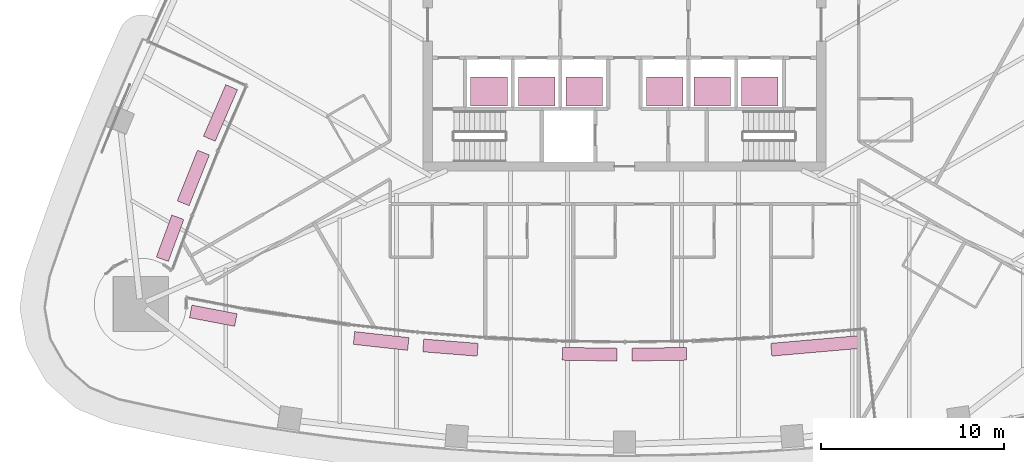
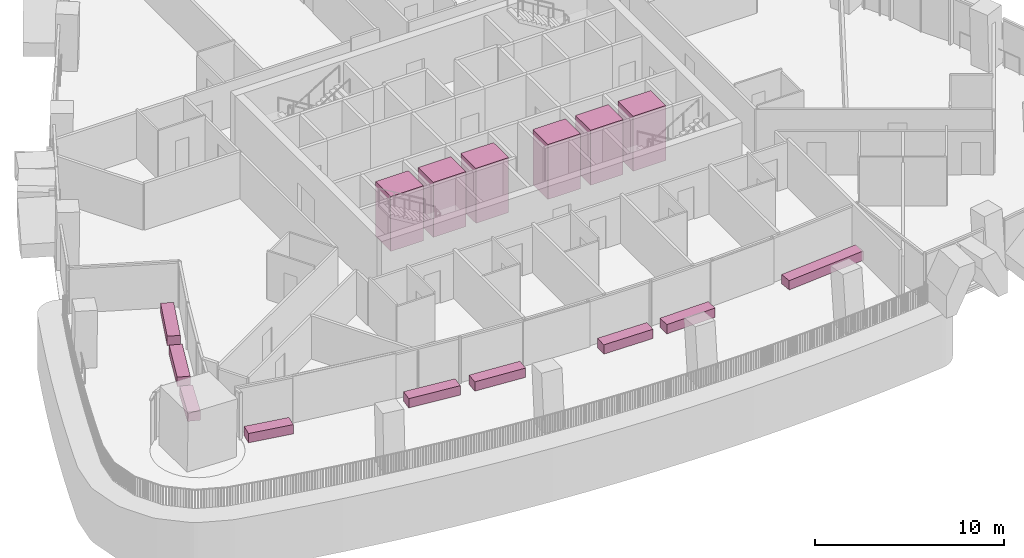
# One storey, part 22 of 22: 9 furniture elements, 6 transport elements.
"""IFC4 building model written with IfcOpenShell, lengths in metres."""

import ifcopenshell
import ifcopenshell.guid

model = None  # the IFC model being written
_history = None  # IfcOwnerHistory: only IFC2X3 demands one
_inside = {}  # id of a spatial element -> (the spatial element, [elements in it])
_under = {}  # id of a project, library or spatial element -> (it, [spatial elements below it])
_declared = {}  # id of a project -> (the project, [libraries it declares])
_typed = {}  # id of a type object -> (the type object, [elements of that type])
_made_of = {}  # id of a material, layer set ... -> (it, [elements and type objects made of it])


def new_model(schema):
    """Start an empty IFC model of exactly this schema.

    Asked for "IFC4X3", IfcOpenShell would pick the latest addendum, in which some entities
    have other attributes; the version numbers below select the first issue.
    IFC2X3 requires an IfcOwnerHistory on every rooted entity: one is made here for all.
    """
    global model, _history
    if schema == "IFC4X3":
        model = ifcopenshell.file(schema_version=(4, 3, 0, 0))
    else:
        model = ifcopenshell.file(schema=schema)
    _inside.clear()
    _under.clear()
    _declared.clear()
    _typed.clear()
    _made_of.clear()
    _history = None
    if model.schema == "IFC2X3":
        org = make("IfcOrganization", Name="unknown")
        user = make(
            "IfcPersonAndOrganization",
            ThePerson=make("IfcPerson", FamilyName="unknown"),
            TheOrganization=org,
        )
        app = make(
            "IfcApplication",
            ApplicationDeveloper=org,
            Version="unknown",
            ApplicationFullName="unknown",
            ApplicationIdentifier="unknown",
        )
        _history = make(
            "IfcOwnerHistory",
            OwningUser=user,
            OwningApplication=app,
            ChangeAction="ADDED",
            CreationDate=0,
        )
    return model


def make(cls, **values):
    """One entity of the class cls with the attributes given. An attribute that is None is left unset."""
    return model.create_entity(
        cls, **{name: value for name, value in values.items() if value is not None}
    )


def rooted(cls, **values):
    """An entity with a GlobalId (a new one), such as an element, a storey or a relation."""
    return make(cls, GlobalId=ifcopenshell.guid.new(), OwnerHistory=_history, **values)


def si_unit(unit_type, name, prefix=None):
    """IfcSIUnit, for example si_unit("LENGTHUNIT", "METRE", prefix="MILLI")."""
    return make("IfcSIUnit", UnitType=unit_type, Prefix=prefix, Name=name)


def assignment(units):
    """IfcUnitAssignment: the units of a project."""
    return None if units is None else make("IfcUnitAssignment", Units=units)


def point(xyz):
    """IfcCartesianPoint."""
    return None if xyz is None else make("IfcCartesianPoint", Coordinates=xyz)


def direction(xyz):
    """IfcDirection."""
    return None if xyz is None else make("IfcDirection", DirectionRatios=xyz)


def frame(location, z_axis=None, x_axis=None):
    """IfcAxis2Placement3D, a coordinate frame: its origin and axes. An axis left out is left unset."""
    return make(
        "IfcAxis2Placement3D",
        Location=point(location),
        Axis=direction(z_axis),
        RefDirection=direction(x_axis),
    )


def frame_2d(location, x_axis=None):
    """IfcAxis2Placement2D, a coordinate frame in the plane: its origin and x axis."""
    return make(
        "IfcAxis2Placement2D", Location=point(location), RefDirection=direction(x_axis)
    )


def origin():
    """The frame at (0, 0, 0) with its axes left unset."""
    return frame((0.0, 0.0, 0.0))


def origin_2d():
    """The frame at (0, 0) in the plane with its x axis left unset."""
    return frame_2d((0.0, 0.0))


def place(relative_to, where):
    """IfcLocalPlacement: puts the frame where relative to a parent placement (None: the world)."""
    return make(
        "IfcLocalPlacement", PlacementRelTo=relative_to, RelativePlacement=where
    )


def context(
    kind, dimensions, precision=None, world=None, true_north=None, identifier=None
):
    """IfcGeometricRepresentationContext, for example the 3D "Model" context."""
    return make(
        "IfcGeometricRepresentationContext",
        ContextIdentifier=identifier,
        ContextType=kind,
        CoordinateSpaceDimension=dimensions,
        Precision=precision,
        WorldCoordinateSystem=world,
        TrueNorth=true_north,
    )


def subcontext(parent, identifier, kind, view, scale=None):
    """IfcGeometricRepresentationSubContext, for example "Body" below "Model"."""
    return make(
        "IfcGeometricRepresentationSubContext",
        ContextIdentifier=identifier,
        ContextType=kind,
        ParentContext=parent,
        TargetScale=scale,
        TargetView=view,
    )


def project(units=None, contexts=None):
    """IfcProject with its units and contexts."""
    return rooted(
        "IfcProject",
        Name="project",
        RepresentationContexts=contexts,
        UnitsInContext=assignment(units),
    )


def spatial(cls, under=None, at=None, **own):
    """A site, building, storey or space (cls), placed at a placement, below another one or the project."""
    s = rooted(cls, ObjectPlacement=at, **own)
    if under is not None:
        _under.setdefault(under.id(), (under, []))[1].append(s)
    return s


def profile(cls, at=None, kind="AREA", **sizes):
    """A parametric profile (cls). Its sizes go by their IFC names, for example OverallWidth=200.0."""
    return make(cls, ProfileType=kind, Position=at, **sizes)


def rectangle(**sizes):
    """IfcRectangleProfileDef."""
    return profile("IfcRectangleProfileDef", **sizes)


def extrude(swept, where, along, depth):
    """IfcExtrudedAreaSolid: the profile swept, set in the frame where, extruded along a direction by depth."""
    return make(
        "IfcExtrudedAreaSolid",
        SweptArea=swept,
        Position=where,
        ExtrudedDirection=direction(along),
        Depth=depth,
    )


def shape(context_of_items, identifier, shape_type, items):
    """IfcShapeRepresentation: the items that make up one representation, for example the "Body"."""
    return make(
        "IfcShapeRepresentation",
        ContextOfItems=context_of_items,
        RepresentationIdentifier=identifier,
        RepresentationType=shape_type,
        Items=items,
    )


def material(Name=None, Category=None):
    """IfcMaterial."""
    return make("IfcMaterial", Name=Name, Category=Category)


def made_of(thing, what):
    """Note that an element or type object is made of a material, layer set ...; save() writes the relation."""
    if what is not None:
        _made_of.setdefault(what.id(), (what, []))[1].append(thing)
    return thing


def type_object(cls, material=None, **own):
    """A type object (cls), such as IfcWallType, which elements share."""
    return made_of(rooted(cls, **own), material)


def element(
    cls,
    number,
    at=None,
    inside=None,
    cuts=None,
    type_object=None,
    material=None,
    context=None,
    identifier="Body",
    shape_type=None,
    held_by="IfcProductDefinitionShape",
    body=None,
    shapes=None,
    **own,
):
    """One element of the class cls, such as IfcWall. Its Tag is "e" and its number.

    at: its placement. inside: the storey or other place that contains it. cuts: it is an
    opening in that element (IfcRelVoidsElement). A single representation is given by context,
    identifier, shape_type and body (its items); several are given by shapes. held_by: the class
    of the entity that holds the representations. save() writes the other relations.
    """
    e = rooted(cls, Tag="e%d" % number, ObjectPlacement=at, **own)
    if body is not None:
        shapes = [shape(context, identifier, shape_type, body)]
    if shapes is not None:
        e.Representation = make(held_by, Representations=shapes)
    if inside is not None:
        _inside.setdefault(inside.id(), (inside, []))[1].append(e)
    if cuts is not None:
        rooted(
            "IfcRelVoidsElement", RelatingBuildingElement=cuts, RelatedOpeningElement=e
        )
    if type_object is not None:
        _typed.setdefault(type_object.id(), (type_object, []))[1].append(e)
    return made_of(e, material)


def aggregate(whole, parts):
    """IfcRelAggregates: a whole, such as a stair, and the parts it consists of."""
    return rooted("IfcRelAggregates", RelatingObject=whole, RelatedObjects=parts)


def save(model, path):
    """Write the relations noted so far, then the file.

    IfcRelAggregates (storeys below a building ...), IfcRelContainedInSpatialStructure (elements
    in a storey), IfcRelDefinesByType, IfcRelAssociatesMaterial and IfcRelDeclares: one each for
    every whole, place, type object, material and project.
    """
    for whole, parts in _under.values():
        aggregate(whole, parts)
    for where, things in _inside.values():
        rooted(
            "IfcRelContainedInSpatialStructure",
            RelatedElements=things,
            RelatingStructure=where,
        )
    for kind, things in _typed.values():
        rooted("IfcRelDefinesByType", RelatedObjects=things, RelatingType=kind)
    for what, things in _made_of.values():
        rooted("IfcRelAssociatesMaterial", RelatedObjects=things, RelatingMaterial=what)
    for by, libraries in _declared.values():
        rooted("IfcRelDeclares", RelatingContext=by, RelatedDefinitions=libraries)
    model.write(path)


model = new_model("IFC4")

# Units and contexts
model_context = context("Model", 3, precision=1e-05, world=origin(), true_north=direction((0.0, 1.0)))
body_context = subcontext(model_context, "Body", "Model", "MODEL_VIEW")
ifc_project = project(units=[si_unit("LENGTHUNIT", "METRE"), si_unit("AREAUNIT", "SQUARE_METRE"), si_unit("VOLUMEUNIT", "CUBIC_METRE"), si_unit("PLANEANGLEUNIT", "RADIAN"), si_unit("MASSUNIT", "GRAM", prefix="KILO")], contexts=[model_context])

# Site, building, storey
site_placement = place(None, origin())
site = spatial("IfcSite", under=ifc_project, at=site_placement, CompositionType="ELEMENT")
building_placement = place(site_placement, origin())
building = spatial("IfcBuilding", under=site, at=building_placement, Name="Sierra Prisma Convention Tower", CompositionType="ELEMENT")
storey_placement = place(building_placement, frame((0.0, 0.0, 73.89990234375)))
storey = spatial("IfcBuildingStorey", under=building, at=storey_placement, Name="L14", CompositionType="ELEMENT", Elevation=73.89990234375)

# Transport elements
ifc_material_1 = material(Name="Stainless steel", Category="steel")
transport_element_type = type_object("IfcTransportElementType", Name="Lift car hotel 2000x1600 1600 kg", PredefinedType="ELEVATOR", material=ifc_material_1)
for number, where, z_axis, x_axis, name in (
    (1, (-7.39990234375, -3.64990234375, 0.0), (0.0, 0.0, 1.0), (1.0, 0.0, 0.0), "Lift HT1"),
    (2, (-4.800048828125, -3.64990234375, 0.0), (0.0, 0.0, 1.0), (1.0, 0.0, 0.0), "Lift HT2"),
    (3, (-2.199951171875, -3.64990234375, 0.0), (0.0, 0.0, 1.0), (1.0, 0.0, 0.0), "Lift HT3"),
    (4, (2.199951171875, -3.64990234375, 0.0), (0.0, 0.0, 1.0), (1.0, 0.0, 0.0), "Lift HT4"),
    (5, (4.800048828125, -3.64990234375, 0.0), (0.0, 0.0, 1.0), (1.0, 0.0, 0.0), "Lift HT5"),
    (6, (7.39990234375, -3.64990234375, 0.0), (0.0, 0.0, 1.0), (1.0, 0.0, 0.0), "Lift HT6"),
):
    element("IfcTransportElement", number, at=place(storey_placement, frame(where, z_axis=z_axis, x_axis=x_axis)), inside=storey, type_object=transport_element_type, Name=name, PredefinedType="ELEVATOR", context=body_context, shape_type="SweptSolid", body=[
        extrude(rectangle(XDim=2.0, YDim=1.60009765625, at=origin_2d()), origin(), (0.0, 0.0, 1.0), 3.550048828125),
    ])

# Furniture
ifc_material_2 = material(Name="Precast concrete C40/50", Category="concrete")
furniture_type = type_object("IfcFurnitureType", Name="Terrace planter", AssemblyPlace="NOTDEFINED", PredefinedType="USERDEFINED", material=ifc_material_2)
furniture_1_placement = place(storey_placement, frame((-22.06982421875, -4.822509765625, 0.0400390625), z_axis=(0.0, 0.0, 1.0), x_axis=(-0.398381731979, -0.917219709571, 0.0)))
element("IfcFurniture", 7, at=furniture_1_placement, inside=storey, type_object=furniture_type, Name="Planter L14.1", ObjectType="PLANTER", PredefinedType="USERDEFINED", context=body_context, shape_type="SweptSolid", body=[
    extrude(rectangle(XDim=3.068359375, YDim=0.699951171875, at=origin_2d()), origin(), (0.0, 0.0, 1.0), 0.60009765625),
])
furniture_2_placement = place(storey_placement, frame((-23.551513671875, -8.371826171875, 0.0400390625), z_axis=(0.0, 0.0, 1.0), x_axis=(-0.371704079644, -0.928351268204, 0.0)))
element("IfcFurniture", 8, at=furniture_2_placement, inside=storey, type_object=furniture_type, Name="Planter L14.2", ObjectType="PLANTER", PredefinedType="USERDEFINED", context=body_context, shape_type="SweptSolid", body=[
    extrude(rectangle(XDim=2.984375, YDim=0.699951171875, at=origin_2d()), origin(), (0.0, 0.0, 1.0), 0.60009765625),
])
furniture_3_placement = place(storey_placement, frame((-24.823486328125, -11.66796875, 0.0400390625), z_axis=(0.0, 0.0, 1.0), x_axis=(-0.346261390203, -0.938138076007, 0.0)))
element("IfcFurniture", 9, at=furniture_3_placement, inside=storey, type_object=furniture_type, Name="Planter L14.3", ObjectType="PLANTER", PredefinedType="USERDEFINED", context=body_context, shape_type="SweptSolid", body=[
    extrude(rectangle(XDim=2.444091796875, YDim=0.699951171875, at=origin_2d()), origin(), (0.0, 0.0, 1.0), 0.60009765625),
])
furniture_4_placement = place(storey_placement, frame((-22.463623046875, -15.901611328125, 0.0400390625), z_axis=(0.0, 0.0, 1.0), x_axis=(0.982178715585, -0.187949383217, 0.0)))
element("IfcFurniture", 10, at=furniture_4_placement, inside=storey, type_object=furniture_type, Name="Planter L14.31", ObjectType="PLANTER", PredefinedType="USERDEFINED", context=body_context, shape_type="SweptSolid", body=[
    extrude(rectangle(XDim=2.51171875, YDim=0.699951171875, at=origin_2d()), origin(), (0.0, 0.0, 1.0), 0.60009765625),
])
for number, where, z_axis, x_axis, name in (
    (11, (-13.2919921875, -17.281982421875, 0.0400390625), (0.0, 0.0, 1.0), (0.993851131462, -0.110724561376, 0.0), "Planter L14.33"),
    (12, (-9.50390625, -17.643310546875, 0.0400390625), (0.0, 0.0, 1.0), (0.996861245216, -0.079168540381, 0.0), "Planter L14.34"),
    (13, (-1.902587890625, -18.0048828125, 0.0400390625), (0.0, 0.0, 1.0), (0.999874386705, -0.015849631263, 0.0), "Planter L14.36"),
    (14, (1.902587890625, -18.0048828125, 0.0400390625), (0.0, 0.0, 1.0), (0.999874386705, 0.015849631263, 0.0), "Planter L14.37"),
):
    element("IfcFurniture", number, at=place(storey_placement, frame(where, z_axis=z_axis, x_axis=x_axis)), inside=storey, type_object=furniture_type, Name=name, ObjectType="PLANTER", PredefinedType="USERDEFINED", context=body_context, shape_type="SweptSolid", body=[
        extrude(rectangle(XDim=2.983642578125, YDim=0.699951171875, at=origin_2d()), origin(), (0.0, 0.0, 1.0), 0.60009765625),
    ])
furniture_5_placement = place(storey_placement, frame((10.408203125, -17.549560546875, 0.0400390625), z_axis=(0.0, 0.0, 1.0), x_axis=(0.996212956637, 0.086946794241, 0.0)))
element("IfcFurniture", 15, at=furniture_5_placement, inside=storey, type_object=furniture_type, Name="Planter L14.39", ObjectType="PLANTER", PredefinedType="USERDEFINED", context=body_context, shape_type="SweptSolid", body=[
    extrude(rectangle(XDim=4.79052734375, YDim=0.699951171875, at=origin_2d()), origin(), (0.0, 0.0, 1.0), 0.60009765625),
])

save(model, "model.ifc")
